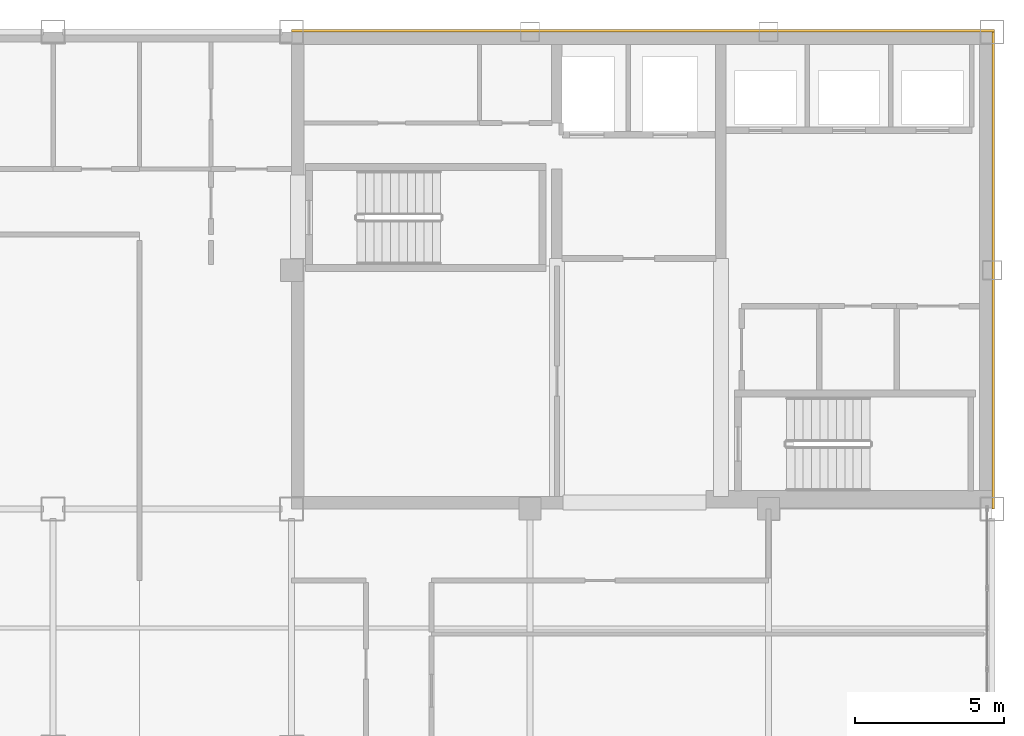
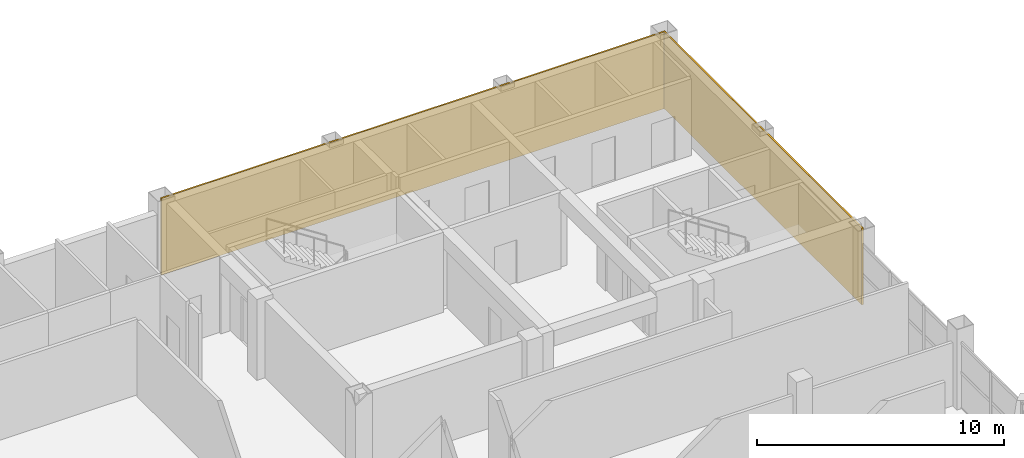
# One storey, part 13 of 13: 2 coverings.
"""IFC4 building model written with IfcOpenShell, lengths in metres."""

from ifc_helpers import new_model, si_unit, direction, frame, origin, origin_2d, place, context, subcontext, project, spatial, rectangle, extrude, material, layer, layer_set, type_object, element, save


model = new_model("IFC4")

# Units and contexts
model_context = context("Model", 3, precision=1e-05, world=origin(), true_north=direction((0.0, 1.0)))
body_context = subcontext(model_context, "Body", "Model", "MODEL_VIEW")
ifc_project = project(units=[si_unit("LENGTHUNIT", "METRE"), si_unit("AREAUNIT", "SQUARE_METRE"), si_unit("VOLUMEUNIT", "CUBIC_METRE"), si_unit("PLANEANGLEUNIT", "RADIAN"), si_unit("MASSUNIT", "GRAM", prefix="KILO")], contexts=[model_context])

# Site, building, storey
site_placement = place(None, origin())
site = spatial("IfcSite", under=ifc_project, at=site_placement, CompositionType="ELEMENT")
building_placement = place(site_placement, origin())
building = spatial("IfcBuilding", under=site, at=building_placement, Name="Qianrong Seaharbour Tower", CompositionType="ELEMENT")
storey_placement = place(building_placement, frame((0.0, 0.0, 291.199951171875)))
storey = spatial("IfcBuildingStorey", under=building, at=storey_placement, Name="L70", CompositionType="ELEMENT", Elevation=291.199951171875)

# Coverings
ifc_material = material(Name="Unitised red brick cladding on Precast concrete C45/55", Category="masonry")
ifc_layer = layer(ifc_material, 0.080078125)
ifc_layer_set = layer_set([ifc_layer], Name="Unitised red brick cladding on Precast concrete C45/55")
covering_type = type_object("IfcCoveringType", Name="COV-CLAD-RED-BRICK-80", PredefinedType="CLADDING", material=ifc_layer_set)
covering_1_placement = place(storey_placement, frame((52.2900390625, 52.0400390625, 0.0), z_axis=(0.0, 0.0, 1.0), x_axis=(1.0, 0.0, 0.0)))
element("IfcCovering", 1, at=covering_1_placement, inside=storey, type_object=covering_type, Name="L70 North Core Brick Veneer Cladding", PredefinedType="CLADDING", context=body_context, shape_type="SweptSolid", body=[
    extrude(rectangle(XDim=23.580078125, YDim=0.080078125, at=origin_2d()), origin(), (0.0, 0.0, 1.0), 3.784912109375),
])
covering_2_placement = place(storey_placement, frame((64.0400390625, 44.0, 0.0), z_axis=(0.0, 0.0, 1.0), x_axis=(1.0, 0.0, 0.0)))
element("IfcCovering", 2, at=covering_2_placement, inside=storey, type_object=covering_type, Name="L70 East Core Brick Veneer Cladding", PredefinedType="CLADDING", context=body_context, shape_type="SweptSolid", body=[
    extrude(rectangle(XDim=0.080078125, YDim=16.0, at=origin_2d()), origin(), (0.0, 0.0, 1.0), 3.784912109375),
])

save(model, "model.ifc")
